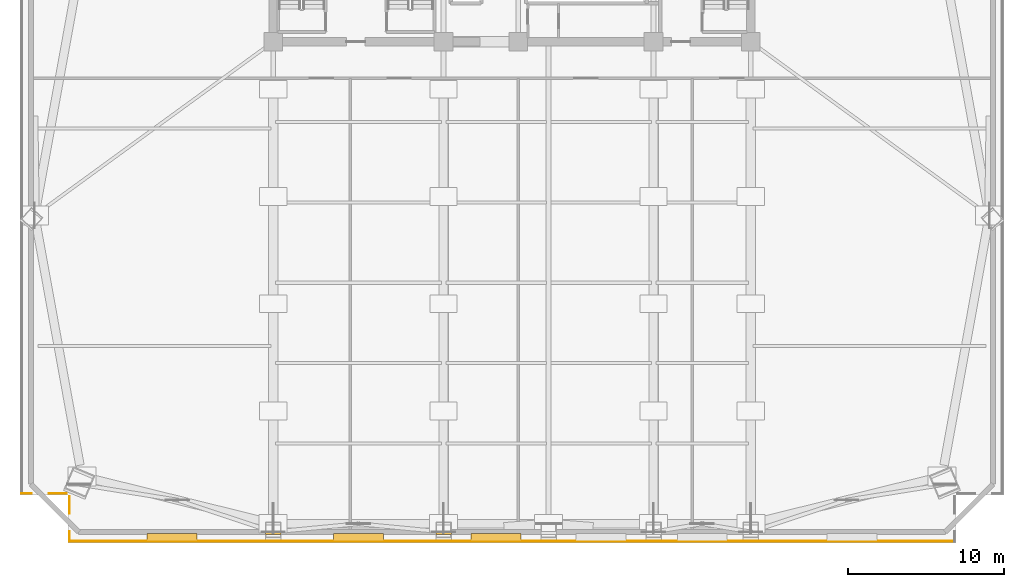
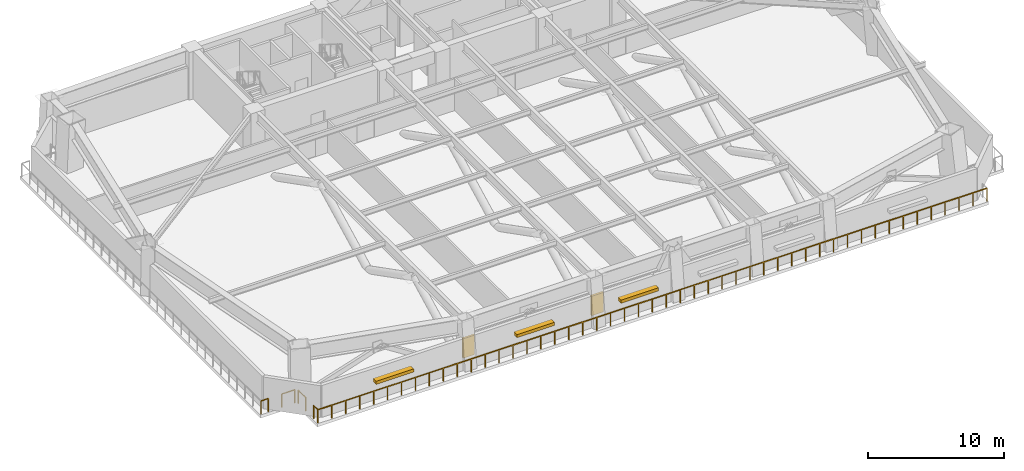
# One storey, part 6 of 10: 5 railings, 3 shading devices, 2 coverings.
"""IFC4 building model written with IfcOpenShell, lengths in metres."""

from ifc_helpers import new_model, si_unit, direction, frame, origin, origin_2d, place, context, subcontext, project, spatial, polyline, rectangle, outline, extrude, source, transform, mapped, material, layer, layer_set, type_object, element, save


model = new_model("IFC4")

# Units and contexts
model_context = context("Model", 3, precision=1e-05, world=origin(), true_north=direction((0.0, 1.0)))
body_context = subcontext(model_context, "Body", "Model", "MODEL_VIEW")
ifc_project = project(units=[si_unit("LENGTHUNIT", "METRE"), si_unit("AREAUNIT", "SQUARE_METRE"), si_unit("VOLUMEUNIT", "CUBIC_METRE"), si_unit("PLANEANGLEUNIT", "RADIAN"), si_unit("MASSUNIT", "GRAM", prefix="KILO")], contexts=[model_context])

# Site, building, storey
site_placement = place(None, origin())
site = spatial("IfcSite", under=ifc_project, at=site_placement, CompositionType="ELEMENT")
building_placement = place(site_placement, origin())
building = spatial("IfcBuilding", under=site, at=building_placement, Name="Giltprow Tower", CompositionType="ELEMENT")
storey_placement = place(building_placement, frame((0.0, 0.0, 95.199951171875)))
storey = spatial("IfcBuildingStorey", under=building, at=storey_placement, Name="L23", CompositionType="ELEMENT", Elevation=95.199951171875)

# Coverings
ifc_material = material(Name="Anodized bronze", Category="metal")
ifc_layer = layer(ifc_material, 0.0400390625, Name="Anodized bronze")
ifc_layer_set = layer_set([ifc_layer], Name="Anodized bronze")
covering_type = type_object("IfcCoveringType", Name="COV-SOFFIT-BRONZE", PredefinedType="CLADDING", material=ifc_layer_set)
covering_1_placement = place(storey_placement, frame((0.0, 0.0, 1.10009765625)))
element("IfcCovering", 1, at=covering_1_placement, inside=storey, type_object=covering_type, Name="L23 Setback Pier Closure Cladding S-1", PredefinedType="CLADDING", context=body_context, shape_type="SweptSolid", body=[
    extrude(outline(polyline([(19.35009765625, 5.785888671875), (20.35009765625, 5.785888671875), (20.35009765625, 5.9560546875), (19.35009765625, 5.9560546875), (19.35009765625, 5.785888671875)])), origin(), (0.0, 0.0, 1.0), 1.760009765625),
])
covering_2_placement = place(storey_placement, frame((0.0, 0.0, 1.10009765625)))
element("IfcCovering", 2, at=covering_2_placement, inside=storey, type_object=covering_type, Name="L23 Setback Pier Closure Cladding S-2", PredefinedType="CLADDING", context=body_context, shape_type="SweptSolid", body=[
    extrude(outline(polyline([(30.300048828125, 5.785888671875), (31.300048828125, 5.785888671875), (31.300048828125, 5.9560546875), (30.300048828125, 5.9560546875), (30.300048828125, 5.785888671875)])), origin(), (0.0, 0.0, 1.0), 1.760009765625),
])

# Railings
railing_type = type_object("IfcRailingType", Name="RAIL-BALC-GUARD-1200", PredefinedType="BALUSTRADE", material=ifc_material)
railing_1_placement = place(storey_placement, frame((6.56005859375, 8.406005859375, 0.0)))
element("IfcRailing", 3, at=railing_1_placement, inside=storey, type_object=railing_type, Name="L23 Corner Apron Edge Balustrade 1", PredefinedType="BALUSTRADE", context=body_context, shape_type="SweptSolid", body=[
    extrude(rectangle(XDim=0.048095703125, YDim=0.048095703125, at=origin_2d()), frame((0.0, 0.0, 1.17578125), z_axis=(-1.0, 0.0, 0.0), x_axis=(0.0, -1.0, 0.0)), (0.0, 0.0, 1.0), 1.10498046875),
    extrude(rectangle(XDim=0.0419921875, YDim=0.0419921875, at=origin_2d()), origin(), (0.0, 0.0, 1.0), 1.15185546875),
    extrude(rectangle(XDim=0.0419921875, YDim=0.0419921875, at=origin_2d()), frame((-1.10498046875, 0.0, 0.0)), (0.0, 0.0, 1.0), 1.15185546875),
])
railing_2_placement = place(storey_placement, frame((4.294921875, 8.406005859375, 0.0)))
element("IfcRailing", 4, at=railing_2_placement, inside=storey, type_object=railing_type, Name="L23 Corner Apron Edge Balustrade 2", PredefinedType="BALUSTRADE", context=body_context, shape_type="SweptSolid", body=[
    extrude(rectangle(XDim=0.048095703125, YDim=0.048095703125, at=origin_2d()), frame((0.0, 0.0, 1.17578125), z_axis=(-1.0, 0.0, 0.0), x_axis=(0.0, -1.0, 0.0)), (0.0, 0.0, 1.0), 0.619873046875),
    extrude(rectangle(XDim=0.0419921875, YDim=0.0419921875, at=origin_2d()), origin(), (0.0, 0.0, 1.0), 1.15185546875),
    extrude(rectangle(XDim=0.0419921875, YDim=0.0419921875, at=origin_2d()), frame((-0.619873046875, 0.0, 0.0)), (0.0, 0.0, 1.0), 1.15185546875),
])
railing_3_placement = place(storey_placement, frame((63.656005859375, 5.3359375, 0.0)))
element("IfcRailing", 5, at=railing_3_placement, inside=storey, type_object=railing_type, Name="L23 Corner Apron Edge Balustrade 19", PredefinedType="BALUSTRADE", context=body_context, shape_type="SweptSolid", body=[
    extrude(rectangle(XDim=0.048095703125, YDim=0.048095703125, at=origin_2d()), frame((0.0, 0.0, 1.17578125), z_axis=(-1.0, 0.0, 0.0), x_axis=(0.0, -1.0, 0.0)), (0.0, 0.0, 1.0), 56.910888671875),
    extrude(rectangle(XDim=0.0419921875, YDim=0.0419921875, at=origin_2d()), origin(), (0.0, 0.0, 1.0), 1.15185546875),
    extrude(rectangle(XDim=0.0419921875, YDim=0.0419921875, at=origin_2d()), frame((-1.185546875, 0.0, 0.0)), (0.0, 0.0, 1.0), 1.15185546875),
    extrude(rectangle(XDim=0.0419921875, YDim=0.0419921875, at=origin_2d()), frame((-2.371337890625, 0.0, 0.0)), (0.0, 0.0, 1.0), 1.15185546875),
    extrude(rectangle(XDim=0.0419921875, YDim=0.0419921875, at=origin_2d()), frame((-3.556884765625, 0.0, 0.0)), (0.0, 0.0, 1.0), 1.15185546875),
    extrude(rectangle(XDim=0.0419921875, YDim=0.0419921875, at=origin_2d()), frame((-4.74267578125, 0.0, 0.0)), (0.0, 0.0, 1.0), 1.15185546875),
    extrude(rectangle(XDim=0.0419921875, YDim=0.0419921875, at=origin_2d()), frame((-5.92822265625, 0.0, 0.0)), (0.0, 0.0, 1.0), 1.15185546875),
    extrude(rectangle(XDim=0.0419921875, YDim=0.0419921875, at=origin_2d()), frame((-7.11376953125, 0.0, 0.0)), (0.0, 0.0, 1.0), 1.15185546875),
    extrude(rectangle(XDim=0.0419921875, YDim=0.0419921875, at=origin_2d()), frame((-8.299560546875, 0.0, 0.0)), (0.0, 0.0, 1.0), 1.15185546875),
    extrude(rectangle(XDim=0.0419921875, YDim=0.0419921875, at=origin_2d()), frame((-9.485107421875, 0.0, 0.0)), (0.0, 0.0, 1.0), 1.15185546875),
    extrude(rectangle(XDim=0.0419921875, YDim=0.0419921875, at=origin_2d()), frame((-10.6708984375, 0.0, 0.0)), (0.0, 0.0, 1.0), 1.15185546875),
    extrude(rectangle(XDim=0.0419921875, YDim=0.0419921875, at=origin_2d()), frame((-11.8564453125, 0.0, 0.0)), (0.0, 0.0, 1.0), 1.15185546875),
    extrude(rectangle(XDim=0.0419921875, YDim=0.0419921875, at=origin_2d()), frame((-13.0419921875, 0.0, 0.0)), (0.0, 0.0, 1.0), 1.15185546875),
    extrude(rectangle(XDim=0.0419921875, YDim=0.0419921875, at=origin_2d()), frame((-14.227783203125, 0.0, 0.0)), (0.0, 0.0, 1.0), 1.15185546875),
    extrude(rectangle(XDim=0.0419921875, YDim=0.0419921875, at=origin_2d()), frame((-15.413330078125, 0.0, 0.0)), (0.0, 0.0, 1.0), 1.15185546875),
    extrude(rectangle(XDim=0.0419921875, YDim=0.0419921875, at=origin_2d()), frame((-16.59912109375, 0.0, 0.0)), (0.0, 0.0, 1.0), 1.15185546875),
    extrude(rectangle(XDim=0.0419921875, YDim=0.0419921875, at=origin_2d()), frame((-17.78466796875, 0.0, 0.0)), (0.0, 0.0, 1.0), 1.15185546875),
    extrude(rectangle(XDim=0.0419921875, YDim=0.0419921875, at=origin_2d()), frame((-18.97021484375, 0.0, 0.0)), (0.0, 0.0, 1.0), 1.15185546875),
    extrude(rectangle(XDim=0.0419921875, YDim=0.0419921875, at=origin_2d()), frame((-20.156005859375, 0.0, 0.0)), (0.0, 0.0, 1.0), 1.15185546875),
    extrude(rectangle(XDim=0.0419921875, YDim=0.0419921875, at=origin_2d()), frame((-21.341552734375, 0.0, 0.0)), (0.0, 0.0, 1.0), 1.15185546875),
    extrude(rectangle(XDim=0.0419921875, YDim=0.0419921875, at=origin_2d()), frame((-22.52734375, 0.0, 0.0)), (0.0, 0.0, 1.0), 1.15185546875),
    extrude(rectangle(XDim=0.0419921875, YDim=0.0419921875, at=origin_2d()), frame((-23.712890625, 0.0, 0.0)), (0.0, 0.0, 1.0), 1.15185546875),
    extrude(rectangle(XDim=0.0419921875, YDim=0.0419921875, at=origin_2d()), frame((-24.8984375, 0.0, 0.0)), (0.0, 0.0, 1.0), 1.15185546875),
    extrude(rectangle(XDim=0.0419921875, YDim=0.0419921875, at=origin_2d()), frame((-26.084228515625, 0.0, 0.0)), (0.0, 0.0, 1.0), 1.15185546875),
    extrude(rectangle(XDim=0.0419921875, YDim=0.0419921875, at=origin_2d()), frame((-27.269775390625, 0.0, 0.0)), (0.0, 0.0, 1.0), 1.15185546875),
    extrude(rectangle(XDim=0.0419921875, YDim=0.0419921875, at=origin_2d()), frame((-28.45556640625, 0.0, 0.0)), (0.0, 0.0, 1.0), 1.15185546875),
    extrude(rectangle(XDim=0.0419921875, YDim=0.0419921875, at=origin_2d()), frame((-29.64111328125, 0.0, 0.0)), (0.0, 0.0, 1.0), 1.15185546875),
    extrude(rectangle(XDim=0.0419921875, YDim=0.0419921875, at=origin_2d()), frame((-30.82666015625, 0.0, 0.0)), (0.0, 0.0, 1.0), 1.15185546875),
    extrude(rectangle(XDim=0.0419921875, YDim=0.0419921875, at=origin_2d()), frame((-32.012451171875, 0.0, 0.0)), (0.0, 0.0, 1.0), 1.15185546875),
    extrude(rectangle(XDim=0.0419921875, YDim=0.0419921875, at=origin_2d()), frame((-33.197998046875, 0.0, 0.0)), (0.0, 0.0, 1.0), 1.15185546875),
    extrude(rectangle(XDim=0.0419921875, YDim=0.0419921875, at=origin_2d()), frame((-34.383544921875, 0.0, 0.0)), (0.0, 0.0, 1.0), 1.15185546875),
    extrude(rectangle(XDim=0.0419921875, YDim=0.0419921875, at=origin_2d()), frame((-35.5693359375, 0.0, 0.0)), (0.0, 0.0, 1.0), 1.15185546875),
    extrude(rectangle(XDim=0.0419921875, YDim=0.0419921875, at=origin_2d()), frame((-36.7548828125, 0.0, 0.0)), (0.0, 0.0, 1.0), 1.15185546875),
    extrude(rectangle(XDim=0.0419921875, YDim=0.0419921875, at=origin_2d()), frame((-37.940673828125, 0.0, 0.0)), (0.0, 0.0, 1.0), 1.15185546875),
    extrude(rectangle(XDim=0.0419921875, YDim=0.0419921875, at=origin_2d()), frame((-39.126220703125, 0.0, 0.0)), (0.0, 0.0, 1.0), 1.15185546875),
    extrude(rectangle(XDim=0.0419921875, YDim=0.0419921875, at=origin_2d()), frame((-40.311767578125, 0.0, 0.0)), (0.0, 0.0, 1.0), 1.15185546875),
    extrude(rectangle(XDim=0.0419921875, YDim=0.0419921875, at=origin_2d()), frame((-41.49755859375, 0.0, 0.0)), (0.0, 0.0, 1.0), 1.15185546875),
    extrude(rectangle(XDim=0.0419921875, YDim=0.0419921875, at=origin_2d()), frame((-42.68310546875, 0.0, 0.0)), (0.0, 0.0, 1.0), 1.15185546875),
    extrude(rectangle(XDim=0.0419921875, YDim=0.0419921875, at=origin_2d()), frame((-43.868896484375, 0.0, 0.0)), (0.0, 0.0, 1.0), 1.15185546875),
    extrude(rectangle(XDim=0.0419921875, YDim=0.0419921875, at=origin_2d()), frame((-45.054443359375, 0.0, 0.0)), (0.0, 0.0, 1.0), 1.15185546875),
    extrude(rectangle(XDim=0.0419921875, YDim=0.0419921875, at=origin_2d()), frame((-46.239990234375, 0.0, 0.0)), (0.0, 0.0, 1.0), 1.15185546875),
    extrude(rectangle(XDim=0.0419921875, YDim=0.0419921875, at=origin_2d()), frame((-47.42578125, 0.0, 0.0)), (0.0, 0.0, 1.0), 1.15185546875),
    extrude(rectangle(XDim=0.0419921875, YDim=0.0419921875, at=origin_2d()), frame((-48.611328125, 0.0, 0.0)), (0.0, 0.0, 1.0), 1.15185546875),
    extrude(rectangle(XDim=0.0419921875, YDim=0.0419921875, at=origin_2d()), frame((-49.797119140625, 0.0, 0.0)), (0.0, 0.0, 1.0), 1.15185546875),
    extrude(rectangle(XDim=0.0419921875, YDim=0.0419921875, at=origin_2d()), frame((-50.982666015625, 0.0, 0.0)), (0.0, 0.0, 1.0), 1.15185546875),
    extrude(rectangle(XDim=0.0419921875, YDim=0.0419921875, at=origin_2d()), frame((-52.168212890625, 0.0, 0.0)), (0.0, 0.0, 1.0), 1.15185546875),
    extrude(rectangle(XDim=0.0419921875, YDim=0.0419921875, at=origin_2d()), frame((-53.35400390625, 0.0, 0.0)), (0.0, 0.0, 1.0), 1.15185546875),
    extrude(rectangle(XDim=0.0419921875, YDim=0.0419921875, at=origin_2d()), frame((-54.53955078125, 0.0, 0.0)), (0.0, 0.0, 1.0), 1.15185546875),
    extrude(rectangle(XDim=0.0419921875, YDim=0.0419921875, at=origin_2d()), frame((-55.725341796875, 0.0, 0.0)), (0.0, 0.0, 1.0), 1.15185546875),
    extrude(rectangle(XDim=0.0419921875, YDim=0.0419921875, at=origin_2d()), frame((-56.910888671875, 0.0, 0.0)), (0.0, 0.0, 1.0), 1.15185546875),
])
railing_4_placement = place(storey_placement, frame((6.7451171875, 5.3359375, 0.0)))
element("IfcRailing", 6, at=railing_4_placement, inside=storey, type_object=railing_type, Name="L23 Corner Apron Edge Balustrade 20", PredefinedType="BALUSTRADE", context=body_context, shape_type="SweptSolid", body=[
    extrude(rectangle(XDim=0.048095703125, YDim=0.048095703125, at=origin_2d()), frame((0.0, 0.0, 1.17578125), z_axis=(0.0, 1.0, 0.0), x_axis=(-1.0, 0.0, 0.0)), (0.0, 0.0, 1.0), 0.6201171875),
    extrude(rectangle(XDim=0.0419921875, YDim=0.0419921875, at=origin_2d()), origin(), (0.0, 0.0, 1.0), 1.15185546875),
    extrude(rectangle(XDim=0.0419921875, YDim=0.0419921875, at=origin_2d()), frame((0.0, 0.6201171875, 0.0)), (0.0, 0.0, 1.0), 1.15185546875),
])
railing_5_placement = place(storey_placement, frame((6.7451171875, 7.115966796875, 0.0)))
element("IfcRailing", 7, at=railing_5_placement, inside=storey, type_object=railing_type, Name="L23 Corner Apron Edge Balustrade 21", PredefinedType="BALUSTRADE", context=body_context, shape_type="SweptSolid", body=[
    extrude(rectangle(XDim=0.048095703125, YDim=0.048095703125, at=origin_2d()), frame((0.0, 0.0, 1.17578125), z_axis=(0.0, 1.0, 0.0), x_axis=(-1.0, 0.0, 0.0)), (0.0, 0.0, 1.0), 1.10498046875),
    extrude(rectangle(XDim=0.0419921875, YDim=0.0419921875, at=origin_2d()), origin(), (0.0, 0.0, 1.0), 1.15185546875),
    extrude(rectangle(XDim=0.0419921875, YDim=0.0419921875, at=origin_2d()), frame((0.0, 1.10498046875, 0.0)), (0.0, 0.0, 1.0), 1.15185546875),
])

# Shading devices
shading_device_type = type_object("IfcShadingDeviceType", Name="SHD-LOUVRE-320", PredefinedType="JALOUSIE", material=ifc_material)
shared_shape = source(origin(), body_context, "Body", "SweptSolid", [
    extrude(rectangle(XDim=3.199951171875, YDim=0.449951171875, at=origin_2d()), origin(), (0.0, 0.0, 1.0), 0.280029296875),
])
for number, where, z_axis, x_axis, name in (
    (8, (13.347900390625, 5.6259765625, 1.66015625), (0.0, 0.0, 1.0), (1.0, 0.0, 0.0), "L23 Refuge Intake Louvre S-1"),
    (9, (25.324951171875, 5.6259765625, 1.66015625), (0.0, 0.0, 1.0), (1.0, 0.0, 0.0), "L23 Refuge Intake Louvre S-2"),
    (10, (34.175048828125, 5.6259765625, 1.66015625), (0.0, 0.0, 1.0), (1.0, 0.0, 0.0), "L23 Refuge Intake Louvre S-3"),
):
    element("IfcShadingDevice", number, at=place(storey_placement, frame(where, z_axis=z_axis, x_axis=x_axis)), inside=storey, type_object=shading_device_type, Name=name, PredefinedType="JALOUSIE", context=body_context, shape_type="MappedRepresentation", body=[
        mapped(shared_shape, transform((0.0, 0.0, 0.0), x_axis=(1.0, 0.0, 0.0), y_axis=(0.0, 1.0, 0.0), z_axis=(0.0, 0.0, 1.0), scale=1.0)),
    ])

save(model, "model.ifc")
